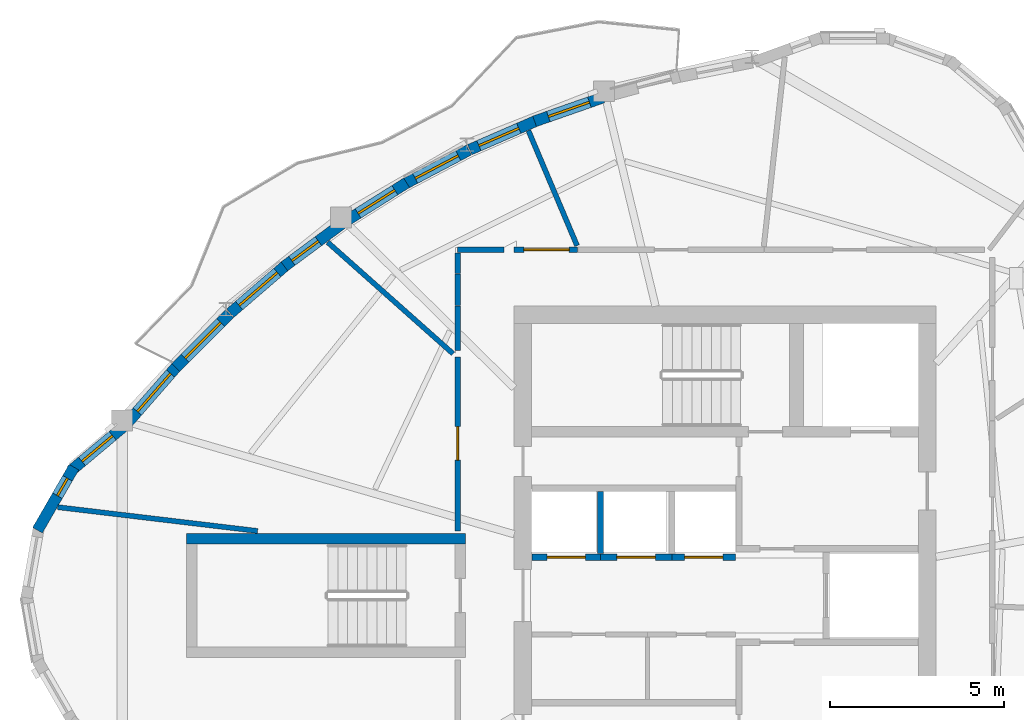
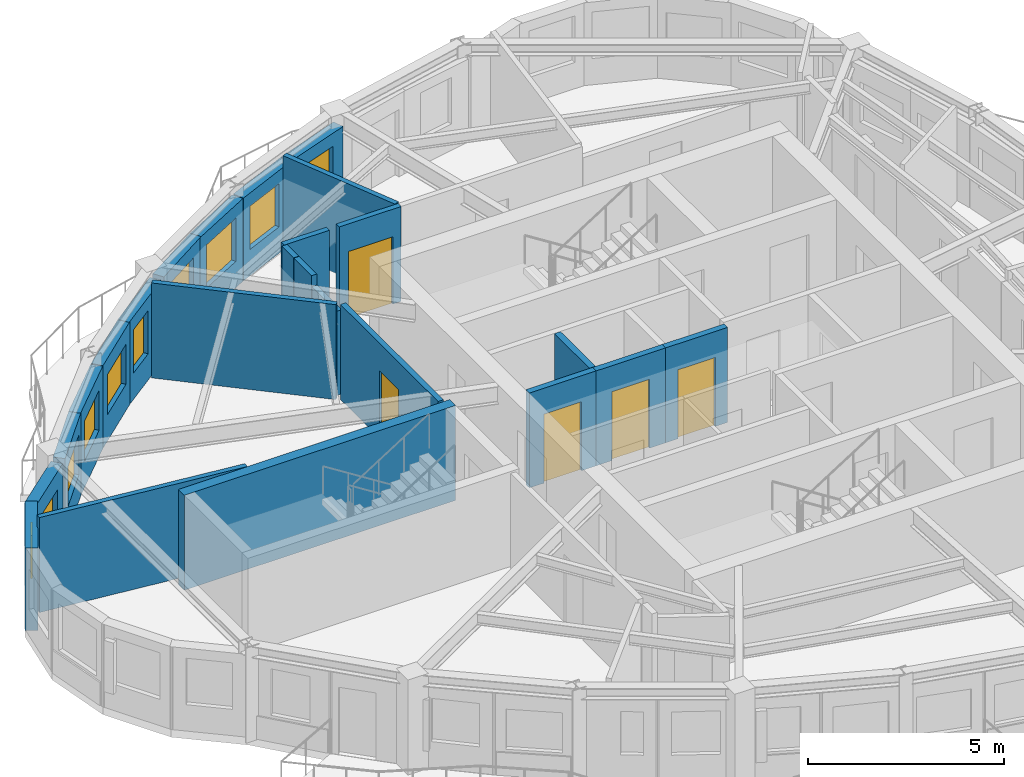
# One storey, part 5 of 11: 24 walls, 10 windows, 5 doors, 15 openings.
"""IFC4 building model written with IfcOpenShell, lengths in metres."""

from ifc_helpers import new_model, si_unit, direction, frame, frame_2d, origin, place, context, subcontext, project, spatial, rectangle, extrude, source, transform, mapped, material, layer, layer_set, type_object, element, fill, save


model = new_model("IFC4")

# Units and contexts
model_context = context("Model", 3, precision=1e-05, world=origin(), true_north=direction((0.0, 1.0)))
body_context = subcontext(model_context, "Body", "Model", "MODEL_VIEW")
ifc_project = project(units=[si_unit("LENGTHUNIT", "METRE"), si_unit("AREAUNIT", "SQUARE_METRE"), si_unit("VOLUMEUNIT", "CUBIC_METRE"), si_unit("PLANEANGLEUNIT", "RADIAN"), si_unit("MASSUNIT", "GRAM", prefix="KILO")], contexts=[model_context])

# Site, building, storey
site_placement = place(None, origin())
site = spatial("IfcSite", under=ifc_project, at=site_placement, CompositionType="ELEMENT")
building_placement = place(site_placement, origin())
building = spatial("IfcBuilding", under=site, at=building_placement, Name="Qafzar Sky-Pleat Residences", CompositionType="ELEMENT")
storey_placement = place(building_placement, frame((0.0, 0.0, 227.60009765625)))
storey = spatial("IfcBuildingStorey", under=building, at=storey_placement, Name="L68", CompositionType="ELEMENT", Elevation=227.60009765625)

# Wall, opening, door
ifc_material_1 = material(Name="Acoustic gypsum plasterboard partition", Category="gypsum")
ifc_layer_1 = layer(ifc_material_1, 0.159912109375)
ifc_layer_set_1 = layer_set([ifc_layer_1], Name="Acoustic gypsum plasterboard partition")
wall_type_1 = type_object("IfcWallType", Name="PART-COR-160", PredefinedType="PARTITIONING", material=ifc_layer_set_1)
wall_1_placement = place(storey_placement, frame((22.679931640625, 27.85009765625, 0.0), z_axis=(0.0, 0.0, 1.0), x_axis=(0.0, 1.0, 0.0)))
wall_1 = element("IfcWall", 1, at=wall_1_placement, inside=storey, type_object=wall_type_1, Name="L68 Partition Wall PART-L68-PW-004", PredefinedType="PARTITIONING", context=body_context, shape_type="SweptSolid", body=[
    extrude(rectangle(XDim=4.98779296875, YDim=0.159912109375, at=frame_2d((2.493896484375, 0.0))), origin(), (0.0, 0.0, 1.0), 2.9599609375),
])
opening_1_placement = place(wall_1_placement, frame((2.033447265625, 0.0, 0.0)))
opening_1 = element("IfcOpeningElement", 2, at=opening_1_placement, cuts=wall_1, Name="Opening ID-06", PredefinedType="OPENING", context=body_context, shape_type="SweptSolid", body=[
    extrude(rectangle(XDim=0.9599609375, YDim=2.10009765625, at=frame_2d((0.47998046875, 1.050048828125))), frame((0.0, 0.08984375, 0.0), z_axis=(0.0, -1.0, 0.0), x_axis=(1.0, 0.0, 0.0)), (0.0, 0.0, 1.0), 0.179931640625),
])
ifc_material_2 = material(Name="Timber-faced fire door", Category="wood")
door_type_1 = type_object("IfcDoorType", Name="DR-STD-960", OperationType="NOTDEFINED", PredefinedType="DOOR", material=ifc_material_2)
shared_shape_1 = source(origin(), body_context, "Body", "SweptSolid", [
    extrude(rectangle(XDim=0.9599609375, YDim=2.10009765625, at=frame_2d((0.47998046875, 1.050048828125))), frame((0.0, 0.02490234375, 0.0), z_axis=(0.0, -1.0, 0.0), x_axis=(1.0, 0.0, 0.0)), (0.0, 0.0, 1.0), 0.050048828125),
])
door_1_placement = place(opening_1_placement, origin())
door_1 = element("IfcDoor", 3, at=door_1_placement, inside=storey, type_object=door_type_1, Name="L68 Reading Library Door", OperationType="SINGLE_SWING_LEFT", OverallHeight=2.10009765625, OverallWidth=0.9599609375, PredefinedType="DOOR", context=body_context, shape_type="MappedRepresentation", body=[
    mapped(shared_shape_1, transform((0.0, 0.0, 0.0), x_axis=(1.0, 0.0, 0.0), y_axis=(0.0, 1.0, 0.0), z_axis=(0.0, 0.0, 1.0), scale=1.0)),
])
fill(opening_1, door_1)

wall_2_placement = place(storey_placement, frame((24.300048828125, 35.919921875, 0.0), z_axis=(0.0, 0.0, 1.0), x_axis=(1.0, 0.0, 0.0)))
wall_2 = element("IfcWall", 4, at=wall_2_placement, inside=storey, type_object=wall_type_1, Name="L68 Partition Wall PART-L68-PW-009", PredefinedType="PARTITIONING", context=body_context, shape_type="SweptSolid", body=[
    extrude(rectangle(XDim=1.822998046875, YDim=0.159912109375, at=frame_2d((0.91162109375, 0.0))), origin(), (0.0, 0.0, 1.0), 2.9599609375),
])
opening_2_placement = place(wall_2_placement, frame((0.277099609375, 0.0, 0.0)))
opening_2 = element("IfcOpeningElement", 5, at=opening_2_placement, cuts=wall_2, Name="Opening ID-05", PredefinedType="OPENING", context=body_context, shape_type="SweptSolid", body=[
    extrude(rectangle(XDim=1.300048828125, YDim=2.10009765625, at=frame_2d((0.64990234375, 1.050048828125))), frame((0.0, 0.08984375, 0.0), z_axis=(0.0, -1.0, 0.0), x_axis=(1.0, 0.0, 0.0)), (0.0, 0.0, 1.0), 0.179931640625),
])
door_type_2 = type_object("IfcDoorType", Name="DR-LNG-1300", OperationType="DOUBLE_DOOR_SINGLE_SWING", PredefinedType="DOOR", material=ifc_material_2)
shared_shape_2 = source(origin(), body_context, "Body", "SweptSolid", [
    extrude(rectangle(XDim=1.300048828125, YDim=2.10009765625, at=frame_2d((0.64990234375, 1.050048828125))), frame((0.0, 0.02490234375, 0.0), z_axis=(0.0, -1.0, 0.0), x_axis=(1.0, 0.0, 0.0)), (0.0, 0.0, 1.0), 0.050048828125),
])
door_2_placement = place(opening_2_placement, origin())
door_2 = element("IfcDoor", 6, at=door_2_placement, inside=storey, type_object=door_type_2, Name="L68 Co-Living Lounge Door", OperationType="DOUBLE_DOOR_SINGLE_SWING", OverallHeight=2.10009765625, OverallWidth=1.300048828125, PredefinedType="DOOR", context=body_context, shape_type="MappedRepresentation", body=[
    mapped(shared_shape_2, transform((0.0, 0.0, 0.0), x_axis=(1.0, 0.0, 0.0), y_axis=(0.0, 1.0, 0.0), z_axis=(0.0, 0.0, 1.0), scale=1.0)),
])
fill(opening_2, door_2)

# Walls
wall_3_placement = place(storey_placement, frame((22.679931640625, 33.029052734375, 0.0), z_axis=(0.0, 0.0, 1.0), x_axis=(0.0, 1.0, 0.0)))
element("IfcWall", 7, at=wall_3_placement, inside=storey, type_object=wall_type_1, Name="L68 Partition Wall PART-L68-PW-024", PredefinedType="PARTITIONING", context=body_context, shape_type="SweptSolid", body=[
    extrude(rectangle(XDim=1.27099609375, YDim=0.159912109375, at=frame_2d((0.635498046875, 0.0))), origin(), (0.0, 0.0, 1.0), 2.6279296875),
])
wall_4_placement = place(storey_placement, frame((22.679931640625, 35.919921875, 0.0), z_axis=(0.0, 0.0, 1.0), x_axis=(1.0, 0.0, 0.0)))
element("IfcWall", 8, at=wall_4_placement, inside=storey, type_object=wall_type_1, Name="L68 Partition Wall PART-L68-PW-025", PredefinedType="PARTITIONING", context=body_context, shape_type="SweptSolid", body=[
    extrude(rectangle(XDim=1.33203125, YDim=0.159912109375, at=frame_2d((0.666015625, 0.0))), origin(), (0.0, 0.0, 1.0), 2.9599609375),
])
wall_5_placement = place(storey_placement, frame((22.679931640625, 34.31494140625, 0.0), z_axis=(0.0, 0.0, 1.0), x_axis=(0.0, 1.0, 0.0)))
element("IfcWall", 9, at=wall_5_placement, inside=storey, type_object=wall_type_1, Name="L68 Partition Wall PART-L68-PW-027", PredefinedType="PARTITIONING", context=body_context, shape_type="SweptSolid", body=[
    extrude(rectangle(XDim=0.902099609375, YDim=0.159912109375, at=frame_2d((0.451171875, 0.0))), origin(), (0.0, 0.0, 1.0), 2.9599609375),
])
wall_6_placement = place(storey_placement, frame((22.679931640625, 35.23193359375, 0.0), z_axis=(0.0, 0.0, 1.0), x_axis=(0.0, 1.0, 0.0)))
element("IfcWall", 10, at=wall_6_placement, inside=storey, type_object=wall_type_1, Name="L68 Partition Wall PART-L68-PW-029", PredefinedType="PARTITIONING", context=body_context, shape_type="SweptSolid", body=[
    extrude(rectangle(XDim=0.60009765625, YDim=0.159912109375, at=frame_2d((0.300048828125, 0.0))), origin(), (0.0, 0.0, 1.0), 2.9599609375),
])

# Wall, opening, door
ifc_material_3 = material(Name="Concrete blockwork partition", Category="masonry")
ifc_layer_2 = layer(ifc_material_3, 0.179931640625)
ifc_layer_set_2 = layer_set([ifc_layer_2], Name="Concrete blockwork partition")
wall_type_2 = type_object("IfcWallType", Name="PART-SHAFT-180", PredefinedType="PARTITIONING", material=ifc_layer_set_2)
wall_7_placement = place(storey_placement, frame((24.81005859375, 27.10009765625, 0.0), z_axis=(0.0, 0.0, 1.0), x_axis=(1.0, 0.0, 0.0)))
wall_7 = element("IfcWall", 11, at=wall_7_placement, inside=storey, type_object=wall_type_2, Name="L68 Partition Wall PART-L68-P4-S", PredefinedType="PARTITIONING", context=body_context, shape_type="SweptSolid", body=[
    extrude(rectangle(XDim=1.96484375, YDim=0.179931640625, at=frame_2d((0.982421875, 0.0))), origin(), (0.0, 0.0, 1.0), 2.9599609375),
])
opening_3_placement = place(wall_7_placement, frame((0.4326171875, 0.0, 0.0)))
opening_3 = element("IfcOpeningElement", 12, at=opening_3_placement, cuts=wall_7, Name="Opening LD-01", PredefinedType="OPENING", context=body_context, shape_type="SweptSolid", body=[
    extrude(rectangle(XDim=1.10009765625, YDim=2.14990234375, at=frame_2d((0.550048828125, 1.074951171875))), frame((0.0, 0.10009765625, 0.0), z_axis=(0.0, -1.0, 0.0), x_axis=(1.0, 0.0, 0.0)), (0.0, 0.0, 1.0), 0.199951171875),
])
ifc_material_4 = material(Name="Stainless steel sliding landing door", Category="steel")
door_type_3 = type_object("IfcDoorType", Name="DR-LIFT-P", OperationType="DOUBLE_DOOR_SLIDING", PredefinedType="DOOR", material=ifc_material_4)
shared_shape_3 = source(origin(), body_context, "Body", "SweptSolid", [
    extrude(rectangle(XDim=1.10009765625, YDim=2.14990234375, at=frame_2d((0.550048828125, 1.074951171875))), frame((0.0, 0.02490234375, 0.0), z_axis=(0.0, -1.0, 0.0), x_axis=(1.0, 0.0, 0.0)), (0.0, 0.0, 1.0), 0.050048828125),
])
door_3_placement = place(opening_3_placement, origin())
door_3 = element("IfcDoor", 13, at=door_3_placement, inside=storey, type_object=door_type_3, Name="L68 Passenger Lift P4 Landing Door", OperationType="DOUBLE_DOOR_SLIDING", OverallHeight=2.14990234375, OverallWidth=1.10009765625, PredefinedType="DOOR", context=body_context, shape_type="MappedRepresentation", body=[
    mapped(shared_shape_3, transform((0.0, 0.0, 0.0), x_axis=(1.0, 0.0, 0.0), y_axis=(0.0, 1.0, 0.0), z_axis=(0.0, 0.0, 1.0), scale=1.0)),
])
fill(opening_3, door_3)

wall_8_placement = place(storey_placement, frame((26.77490234375, 27.10009765625, 0.0), z_axis=(0.0, 0.0, 1.0), x_axis=(1.0, 0.0, 0.0)))
wall_8 = element("IfcWall", 14, at=wall_8_placement, inside=storey, type_object=wall_type_2, Name="L68 Partition Wall PART-L68-P5-S", PredefinedType="PARTITIONING", context=body_context, shape_type="SweptSolid", body=[
    extrude(rectangle(XDim=2.050048828125, YDim=0.179931640625, at=frame_2d((1.02490234375, 0.0))), origin(), (0.0, 0.0, 1.0), 2.9599609375),
])
opening_4_placement = place(wall_8_placement, frame((0.47509765625, 0.0, 0.0)))
opening_4 = element("IfcOpeningElement", 15, at=opening_4_placement, cuts=wall_8, Name="Opening LD-01", PredefinedType="OPENING", context=body_context, shape_type="SweptSolid", body=[
    extrude(rectangle(XDim=1.10009765625, YDim=2.14990234375, at=frame_2d((0.550048828125, 1.074951171875))), frame((0.0, 0.10009765625, 0.0), z_axis=(0.0, -1.0, 0.0), x_axis=(1.0, 0.0, 0.0)), (0.0, 0.0, 1.0), 0.199951171875),
])
door_4_placement = place(opening_4_placement, origin())
door_4 = element("IfcDoor", 16, at=door_4_placement, inside=storey, type_object=door_type_3, Name="L68 Passenger Lift P5 Landing Door", OperationType="DOUBLE_DOOR_SLIDING", OverallHeight=2.14990234375, OverallWidth=1.10009765625, PredefinedType="DOOR", context=body_context, shape_type="MappedRepresentation", body=[
    mapped(shared_shape_3, transform((0.0, 0.0, 0.0), x_axis=(1.0, 0.0, 0.0), y_axis=(0.0, 1.0, 0.0), z_axis=(0.0, 0.0, 1.0), scale=1.0)),
])
fill(opening_4, door_4)

# Wall
wall_9_placement = place(storey_placement, frame((26.77490234375, 27.199951171875, 0.0), z_axis=(0.0, 0.0, 1.0), x_axis=(0.0, 1.0, 0.0)))
element("IfcWall", 17, at=wall_9_placement, inside=storey, type_object=wall_type_2, Name="L68 Partition Wall PART-L68-P46-DIV-1", PredefinedType="PARTITIONING", context=body_context, shape_type="SweptSolid", body=[
    extrude(rectangle(XDim=1.780029296875, YDim=0.179931640625, at=frame_2d((0.89013671875, 0.0))), origin(), (0.0, 0.0, 1.0), 2.9599609375),
])

# Wall, opening, door
wall_10_placement = place(storey_placement, frame((28.824951171875, 27.10009765625, 0.0), z_axis=(0.0, 0.0, 1.0), x_axis=(1.0, 0.0, 0.0)))
wall_10 = element("IfcWall", 18, at=wall_10_placement, inside=storey, type_object=wall_type_2, Name="L68 Partition Wall PART-L68-P6-S", PredefinedType="PARTITIONING", context=body_context, shape_type="SweptSolid", body=[
    extrude(rectangle(XDim=1.824951171875, YDim=0.179931640625, at=frame_2d((0.91259765625, 0.0))), origin(), (0.0, 0.0, 1.0), 2.9599609375),
])
opening_5_placement = place(wall_10_placement, frame((0.362548828125, 0.0, 0.0)))
opening_5 = element("IfcOpeningElement", 19, at=opening_5_placement, cuts=wall_10, Name="Opening LD-01", PredefinedType="OPENING", context=body_context, shape_type="SweptSolid", body=[
    extrude(rectangle(XDim=1.10009765625, YDim=2.14990234375, at=frame_2d((0.550048828125, 1.074951171875))), frame((0.0, 0.10009765625, 0.0), z_axis=(0.0, -1.0, 0.0), x_axis=(1.0, 0.0, 0.0)), (0.0, 0.0, 1.0), 0.199951171875),
])
door_5_placement = place(opening_5_placement, origin())
door_5 = element("IfcDoor", 20, at=door_5_placement, inside=storey, type_object=door_type_3, Name="L68 Passenger Lift P6 Landing Door", OperationType="DOUBLE_DOOR_SLIDING", OverallHeight=2.14990234375, OverallWidth=1.10009765625, PredefinedType="DOOR", context=body_context, shape_type="MappedRepresentation", body=[
    mapped(shared_shape_3, transform((0.0, 0.0, 0.0), x_axis=(1.0, 0.0, 0.0), y_axis=(0.0, 1.0, 0.0), z_axis=(0.0, 0.0, 1.0), scale=1.0)),
])
fill(opening_5, door_5)

# Walls
ifc_layer_3 = layer(ifc_material_1, 0.14501953125)
ifc_layer_set_3 = layer_set([ifc_layer_3], Name="Acoustic gypsum plasterboard partition")
wall_type_3 = type_object("IfcWallType", Name="PART-UNIT-145", PredefinedType="PARTITIONING", material=ifc_layer_set_3)
wall_11_placement = place(storey_placement, frame((11.204833984375, 28.533935546875, 0.0), z_axis=(0.0, 0.0, 1.0), x_axis=(0.9929685345, -0.118378585449, 0.0)))
element("IfcWall", 21, at=wall_11_placement, inside=storey, type_object=wall_type_3, Name="L68 Partition Wall PART-L68-PW-011", PredefinedType="PARTITIONING", context=body_context, shape_type="SweptSolid", body=[
    extrude(rectangle(XDim=5.776611328125, YDim=0.14501953125, at=frame_2d((2.88818359375, 0.0))), origin(), (0.0, 0.0, 1.0), 2.9599609375),
])
wall_12_placement = place(storey_placement, frame((18.94873046875, 36.134033203125, 0.0), z_axis=(0.0, 0.0, 1.0), x_axis=(0.747482088067, -0.664281964243, 0.0)))
element("IfcWall", 22, at=wall_12_placement, inside=storey, type_object=wall_type_3, Name="L68 Partition Wall PART-L68-PW-014", PredefinedType="PARTITIONING", context=body_context, shape_type="SweptSolid", body=[
    extrude(rectangle(XDim=4.8125, YDim=0.14501953125, at=frame_2d((2.40625, 0.0))), origin(), (0.0, 0.0, 1.0), 2.9599609375),
])
wall_13_placement = place(storey_placement, frame((24.708251953125, 39.337890625, 0.0), z_axis=(0.0, 0.0, 1.0), x_axis=(0.389551136954, -0.921004838043, 0.0)))
element("IfcWall", 23, at=wall_13_placement, inside=storey, type_object=wall_type_3, Name="L68 Partition Wall PART-L68-PW-015", PredefinedType="PARTITIONING", context=body_context, shape_type="SweptSolid", body=[
    extrude(rectangle(XDim=3.58544921875, YDim=0.14501953125, at=frame_2d((1.792724609375, 0.0))), origin(), (0.0, 0.0, 1.0), 2.9599609375),
])

# Wall, opening, window
ifc_material_5 = material(Name="Precast concrete C40/50 with honed Riyadh limestone", Category="concrete")
ifc_layer_4 = layer(ifc_material_5, 0.320068359375)
ifc_layer_set_4 = layer_set([ifc_layer_4], Name="Precast concrete C40/50 with honed Riyadh limestone")
wall_type_4 = type_object("IfcWallType", Name="WALL-EXT-320", PredefinedType="SOLIDWALL", material=ifc_layer_set_4)
wall_14_placement = place(storey_placement, frame((13.0888671875, 30.842529296875, 0.0), z_axis=(0.0, 0.0, 1.0), x_axis=(-0.76606505432, -0.642763045414, 0.0)))
wall_14 = element("IfcWall", 24, at=wall_14_placement, inside=storey, type_object=wall_type_4, Name="L68 Limestone Facade Wall 1", PredefinedType="SOLIDWALL", context=body_context, shape_type="SweptSolid", body=[
    extrude(rectangle(XDim=1.962158203125, YDim=0.320068359375, at=frame_2d((0.98095703125, 0.0))), origin(), (0.0, 0.0, 1.0), 2.579833984375),
])
opening_6_placement = place(wall_14_placement, frame((0.401123046875, 0.0, 0.820068359375)))
opening_6 = element("IfcOpeningElement", 25, at=opening_6_placement, cuts=wall_14, Name="Opening WN-16", PredefinedType="OPENING", context=body_context, shape_type="SweptSolid", body=[
    extrude(rectangle(XDim=1.14990234375, YDim=1.199951171875, at=frame_2d((0.574951171875, 0.60009765625))), frame((0.0, 0.169921875, 0.0), z_axis=(0.0, -1.0, 0.0), x_axis=(1.0, 0.0, 0.0)), (0.0, 0.0, 1.0), 0.340087890625),
])
ifc_material_6 = material(Name="Solar-control low-E glass in bronze aluminium frame", Category="glass")
window_type_1 = type_object("IfcWindowType", Name="WIN-16", PartitioningType="SINGLE_PANEL", PredefinedType="WINDOW", material=ifc_material_6)
shared_shape_4 = source(origin(), body_context, "Body", "SweptSolid", [
    extrude(rectangle(XDim=1.14990234375, YDim=1.199951171875, at=frame_2d((0.574951171875, 0.60009765625))), frame((0.0, 0.030029296875, 0.0), z_axis=(0.0, -1.0, 0.0), x_axis=(1.0, 0.0, 0.0)), (0.0, 0.0, 1.0), 0.06005859375),
])
window_1_placement = place(opening_6_placement, origin())
window_1 = element("IfcWindow", 26, at=window_1_placement, inside=storey, type_object=window_type_1, Name="L68 Punched Facade Window 01", OverallHeight=1.199951171875, OverallWidth=1.14990234375, PartitioningType="SINGLE_PANEL", PredefinedType="WINDOW", context=body_context, shape_type="MappedRepresentation", body=[
    mapped(shared_shape_4, transform((0.0, 0.0, 0.0), x_axis=(1.0, 0.0, 0.0), y_axis=(0.0, 1.0, 0.0), z_axis=(0.0, 0.0, 1.0), scale=1.0)),
])
fill(opening_6, window_1)

wall_15_placement = place(storey_placement, frame((11.66943359375, 29.68115234375, 0.0), z_axis=(0.0, 0.0, 1.0), x_axis=(-0.49990781971, -0.866078617559, 0.0)))
wall_15 = element("IfcWall", 27, at=wall_15_placement, inside=storey, type_object=wall_type_4, Name="L68 Limestone Facade Wall 2", PredefinedType="SOLIDWALL", context=body_context, shape_type="SweptSolid", body=[
    extrude(rectangle(XDim=2.09033203125, YDim=0.320068359375, at=frame_2d((1.045166015625, 0.0))), origin(), (0.0, 0.0, 1.0), 2.579833984375),
])
opening_7_placement = place(wall_15_placement, frame((0.3671875, 0.0, 0.820068359375)))
opening_7 = element("IfcOpeningElement", 28, at=opening_7_placement, cuts=wall_15, Name="Opening WN-17", PredefinedType="OPENING", context=body_context, shape_type="SweptSolid", body=[
    extrude(rectangle(XDim=0.580078125, YDim=1.35009765625, at=frame_2d((0.2900390625, 0.675048828125))), frame((0.0, 0.169921875, 0.0), z_axis=(0.0, -1.0, 0.0), x_axis=(1.0, 0.0, 0.0)), (0.0, 0.0, 1.0), 0.340087890625),
])
window_type_2 = type_object("IfcWindowType", Name="WIN-17", PartitioningType="SINGLE_PANEL", PredefinedType="WINDOW", material=ifc_material_6)
shared_shape_5 = source(origin(), body_context, "Body", "SweptSolid", [
    extrude(rectangle(XDim=0.580078125, YDim=1.35009765625, at=frame_2d((0.2900390625, 0.675048828125))), frame((0.0, 0.030029296875, 0.0), z_axis=(0.0, -1.0, 0.0), x_axis=(1.0, 0.0, 0.0)), (0.0, 0.0, 1.0), 0.06005859375),
])
window_2_placement = place(opening_7_placement, origin())
window_2 = element("IfcWindow", 29, at=window_2_placement, inside=storey, type_object=window_type_2, Name="L68 Punched Facade Window 02", OverallHeight=1.35009765625, OverallWidth=0.580078125, PartitioningType="SINGLE_PANEL", PredefinedType="WINDOW", context=body_context, shape_type="MappedRepresentation", body=[
    mapped(shared_shape_5, transform((0.0, 0.0, 0.0), x_axis=(1.0, 0.0, 0.0), y_axis=(0.0, 1.0, 0.0), z_axis=(0.0, 0.0, 1.0), scale=1.0)),
])
fill(opening_7, window_2)

wall_16_placement = place(storey_placement, frame((26.842529296875, 40.285888671875, 0.0), z_axis=(0.0, 0.0, 1.0), x_axis=(-0.944109796758, -0.329631144867, 0.0)))
wall_16 = element("IfcWall", 30, at=wall_16_placement, inside=storey, type_object=wall_type_4, Name="L68 Limestone Facade Wall 41", PredefinedType="SOLIDWALL", context=body_context, shape_type="SweptSolid", body=[
    extrude(rectangle(XDim=2.071533203125, YDim=0.320068359375, at=frame_2d((1.03564453125, 0.0))), origin(), (0.0, 0.0, 1.0), 2.579833984375),
])
opening_8_placement = place(wall_16_placement, frame((0.40576171875, 0.0, 0.820068359375)))
opening_8 = element("IfcOpeningElement", 31, at=opening_8_placement, cuts=wall_16, Name="Opening WN-11", PredefinedType="OPENING", context=body_context, shape_type="SweptSolid", body=[
    extrude(rectangle(XDim=1.25, YDim=1.35009765625, at=frame_2d((0.625, 0.675048828125))), frame((0.0, 0.169921875, 0.0), z_axis=(0.0, -1.0, 0.0), x_axis=(1.0, 0.0, 0.0)), (0.0, 0.0, 1.0), 0.340087890625),
])
window_type_3 = type_object("IfcWindowType", Name="WIN-11", PartitioningType="SINGLE_PANEL", PredefinedType="WINDOW", material=ifc_material_6)
shared_shape_6 = source(origin(), body_context, "Body", "SweptSolid", [
    extrude(rectangle(XDim=1.25, YDim=1.35009765625, at=frame_2d((0.625, 0.675048828125))), frame((0.0, 0.030029296875, 0.0), z_axis=(0.0, -1.0, 0.0), x_axis=(1.0, 0.0, 0.0)), (0.0, 0.0, 1.0), 0.06005859375),
])
window_3_placement = place(opening_8_placement, origin())
window_3 = element("IfcWindow", 32, at=window_3_placement, inside=storey, type_object=window_type_3, Name="L68 Punched Facade Window 41", OverallHeight=1.35009765625, OverallWidth=1.25, PartitioningType="SINGLE_PANEL", PredefinedType="WINDOW", context=body_context, shape_type="MappedRepresentation", body=[
    mapped(shared_shape_6, transform((0.0, 0.0, 0.0), x_axis=(1.0, 0.0, 0.0), y_axis=(0.0, 1.0, 0.0), z_axis=(0.0, 0.0, 1.0), scale=1.0)),
])
fill(opening_8, window_3)

wall_17_placement = place(storey_placement, frame((24.968505859375, 39.635009765625, 0.0), z_axis=(0.0, 0.0, 1.0), x_axis=(-0.917099379281, -0.398658661666, 0.0)))
wall_17 = element("IfcWall", 33, at=wall_17_placement, inside=storey, type_object=wall_type_4, Name="L68 Limestone Facade Wall 42", PredefinedType="SOLIDWALL", context=body_context, shape_type="SweptSolid", body=[
    extrude(rectangle(XDim=2.11767578125, YDim=0.320068359375, at=frame_2d((1.058837890625, 0.0))), origin(), (0.0, 0.0, 1.0), 2.579833984375),
])
opening_9_placement = place(wall_17_placement, frame((0.582275390625, 0.0, 0.820068359375)))
opening_9 = element("IfcOpeningElement", 34, at=opening_9_placement, cuts=wall_17, Name="Opening WN-11", PredefinedType="OPENING", context=body_context, shape_type="SweptSolid", body=[
    extrude(rectangle(XDim=1.25, YDim=1.35009765625, at=frame_2d((0.625, 0.675048828125))), frame((0.0, 0.169921875, 0.0), z_axis=(0.0, -1.0, 0.0), x_axis=(1.0, 0.0, 0.0)), (0.0, 0.0, 1.0), 0.340087890625),
])
window_4_placement = place(opening_9_placement, origin())
window_4 = element("IfcWindow", 35, at=window_4_placement, inside=storey, type_object=window_type_3, Name="L68 Punched Facade Window 42", OverallHeight=1.35009765625, OverallWidth=1.25, PartitioningType="SINGLE_PANEL", PredefinedType="WINDOW", context=body_context, shape_type="MappedRepresentation", body=[
    mapped(shared_shape_6, transform((0.0, 0.0, 0.0), x_axis=(1.0, 0.0, 0.0), y_axis=(0.0, 1.0, 0.0), z_axis=(0.0, 0.0, 1.0), scale=1.0)),
])
fill(opening_9, window_4)

wall_18_placement = place(storey_placement, frame((23.001220703125, 38.77880859375, 0.0), z_axis=(0.0, 0.0, 1.0), x_axis=(-0.884379435148, -0.466768695059, 0.0)))
wall_18 = element("IfcWall", 36, at=wall_18_placement, inside=storey, type_object=wall_type_4, Name="L68 Limestone Facade Wall 43", PredefinedType="SOLIDWALL", context=body_context, shape_type="SweptSolid", body=[
    extrude(rectangle(XDim=2.105712890625, YDim=0.320068359375, at=frame_2d((1.052734375, 0.0))), origin(), (0.0, 0.0, 1.0), 2.579833984375),
])
opening_10_placement = place(wall_18_placement, frame((0.343017578125, 0.0, 0.820068359375)))
opening_10 = element("IfcOpeningElement", 37, at=opening_10_placement, cuts=wall_18, Name="Opening WN-10", PredefinedType="OPENING", context=body_context, shape_type="SweptSolid", body=[
    extrude(rectangle(XDim=1.39990234375, YDim=1.35009765625, at=frame_2d((0.699951171875, 0.675048828125))), frame((0.0, 0.169921875, 0.0), z_axis=(0.0, -1.0, 0.0), x_axis=(1.0, 0.0, 0.0)), (0.0, 0.0, 1.0), 0.340087890625),
])
window_type_4 = type_object("IfcWindowType", Name="WIN-10", PartitioningType="SINGLE_PANEL", PredefinedType="WINDOW", material=ifc_material_6)
shared_shape_7 = source(origin(), body_context, "Body", "SweptSolid", [
    extrude(rectangle(XDim=1.39990234375, YDim=1.35009765625, at=frame_2d((0.699951171875, 0.675048828125))), frame((0.0, 0.030029296875, 0.0), z_axis=(0.0, -1.0, 0.0), x_axis=(1.0, 0.0, 0.0)), (0.0, 0.0, 1.0), 0.06005859375),
])
window_5_placement = place(opening_10_placement, origin())
window_5 = element("IfcWindow", 38, at=window_5_placement, inside=storey, type_object=window_type_4, Name="L68 Punched Facade Window 43", OverallHeight=1.35009765625, OverallWidth=1.39990234375, PartitioningType="SINGLE_PANEL", PredefinedType="WINDOW", context=body_context, shape_type="MappedRepresentation", body=[
    mapped(shared_shape_7, transform((0.0, 0.0, 0.0), x_axis=(1.0, 0.0, 0.0), y_axis=(0.0, 1.0, 0.0), z_axis=(0.0, 0.0, 1.0), scale=1.0)),
])
fill(opening_10, window_5)

wall_19_placement = place(storey_placement, frame((21.215087890625, 37.83984375, 0.0), z_axis=(0.0, 0.0, 1.0), x_axis=(-0.846356989859, -0.532616039672, 0.0)))
wall_19 = element("IfcWall", 39, at=wall_19_placement, inside=storey, type_object=wall_type_4, Name="L68 Limestone Facade Wall 44", PredefinedType="SOLIDWALL", context=body_context, shape_type="SweptSolid", body=[
    extrude(rectangle(XDim=2.03564453125, YDim=0.320068359375, at=frame_2d((1.017822265625, 0.0))), origin(), (0.0, 0.0, 1.0), 2.579833984375),
])
opening_11_placement = place(wall_19_placement, frame((0.39794921875, 0.0, 0.820068359375)))
opening_11 = element("IfcOpeningElement", 40, at=opening_11_placement, cuts=wall_19, Name="Opening WN-11", PredefinedType="OPENING", context=body_context, shape_type="SweptSolid", body=[
    extrude(rectangle(XDim=1.25, YDim=1.35009765625, at=frame_2d((0.625, 0.675048828125))), frame((0.0, 0.169921875, 0.0), z_axis=(0.0, -1.0, 0.0), x_axis=(1.0, 0.0, 0.0)), (0.0, 0.0, 1.0), 0.340087890625),
])
window_6_placement = place(opening_11_placement, origin())
window_6 = element("IfcWindow", 41, at=window_6_placement, inside=storey, type_object=window_type_3, Name="L68 Punched Facade Window 44", OverallHeight=1.35009765625, OverallWidth=1.25, PartitioningType="SINGLE_PANEL", PredefinedType="WINDOW", context=body_context, shape_type="MappedRepresentation", body=[
    mapped(shared_shape_6, transform((0.0, 0.0, 0.0), x_axis=(1.0, 0.0, 0.0), y_axis=(0.0, 1.0, 0.0), z_axis=(0.0, 0.0, 1.0), scale=1.0)),
])
fill(opening_11, window_6)

wall_20_placement = place(storey_placement, frame((19.353515625, 36.660888671875, 0.0), z_axis=(0.0, 0.0, 1.0), x_axis=(-0.803846460046, -0.59483684206, 0.0)))
wall_20 = element("IfcWall", 42, at=wall_20_placement, inside=storey, type_object=wall_type_4, Name="L68 Limestone Facade Wall 45", PredefinedType="SOLIDWALL", context=body_context, shape_type="SweptSolid", body=[
    extrude(rectangle(XDim=2.047607421875, YDim=0.320068359375, at=frame_2d((1.02392578125, 0.0))), origin(), (0.0, 0.0, 1.0), 2.579833984375),
])
opening_12_placement = place(wall_20_placement, frame((0.831787109375, 0.0, 0.820068359375)))
opening_12 = element("IfcOpeningElement", 43, at=opening_12_placement, cuts=wall_20, Name="Opening WN-12", PredefinedType="OPENING", context=body_context, shape_type="SweptSolid", body=[
    extrude(rectangle(XDim=0.949951171875, YDim=1.35009765625, at=frame_2d((0.47509765625, 0.675048828125))), frame((0.0, 0.169921875, 0.0), z_axis=(0.0, -1.0, 0.0), x_axis=(1.0, 0.0, 0.0)), (0.0, 0.0, 1.0), 0.340087890625),
])
window_type_5 = type_object("IfcWindowType", Name="WIN-12", PartitioningType="SINGLE_PANEL", PredefinedType="WINDOW", material=ifc_material_6)
shared_shape_8 = source(origin(), body_context, "Body", "SweptSolid", [
    extrude(rectangle(XDim=0.949951171875, YDim=1.35009765625, at=frame_2d((0.47509765625, 0.675048828125))), frame((0.0, 0.030029296875, 0.0), z_axis=(0.0, -1.0, 0.0), x_axis=(1.0, 0.0, 0.0)), (0.0, 0.0, 1.0), 0.06005859375),
])
window_7_placement = place(opening_12_placement, origin())
window_7 = element("IfcWindow", 44, at=window_7_placement, inside=storey, type_object=window_type_5, Name="L68 Punched Facade Window 45-2", OverallHeight=1.35009765625, OverallWidth=0.949951171875, PartitioningType="SINGLE_PANEL", PredefinedType="WINDOW", context=body_context, shape_type="MappedRepresentation", body=[
    mapped(shared_shape_8, transform((0.0, 0.0, 0.0), x_axis=(1.0, 0.0, 0.0), y_axis=(0.0, 1.0, 0.0), z_axis=(0.0, 0.0, 1.0), scale=1.0)),
])
fill(opening_12, window_7)

wall_21_placement = place(storey_placement, frame((17.77587890625, 35.497802734375, 0.0), z_axis=(0.0, 0.0, 1.0), x_axis=(-0.757443010922, -0.652901282894, 0.0)))
wall_21 = element("IfcWall", 45, at=wall_21_placement, inside=storey, type_object=wall_type_4, Name="L68 Limestone Facade Wall 46", PredefinedType="SOLIDWALL", context=body_context, shape_type="SweptSolid", body=[
    extrude(rectangle(XDim=2.1416015625, YDim=0.320068359375, at=frame_2d((1.07080078125, 0.0))), origin(), (0.0, 0.0, 1.0), 2.579833984375),
])
opening_13_placement = place(wall_21_placement, frame((0.355712890625, 0.0, 0.820068359375)))
opening_13 = element("IfcOpeningElement", 46, at=opening_13_placement, cuts=wall_21, Name="Opening WN-15", PredefinedType="OPENING", context=body_context, shape_type="SweptSolid", body=[
    extrude(rectangle(XDim=1.449951171875, YDim=1.25, at=frame_2d((0.72509765625, 0.625))), frame((0.0, 0.169921875, 0.0), z_axis=(0.0, -1.0, 0.0), x_axis=(1.0, 0.0, 0.0)), (0.0, 0.0, 1.0), 0.340087890625),
])
window_type_6 = type_object("IfcWindowType", Name="WIN-15", PartitioningType="SINGLE_PANEL", PredefinedType="WINDOW", material=ifc_material_6)
shared_shape_9 = source(origin(), body_context, "Body", "SweptSolid", [
    extrude(rectangle(XDim=1.449951171875, YDim=1.25, at=frame_2d((0.72509765625, 0.625))), frame((0.0, 0.030029296875, 0.0), z_axis=(0.0, -1.0, 0.0), x_axis=(1.0, 0.0, 0.0)), (0.0, 0.0, 1.0), 0.06005859375),
])
window_8_placement = place(opening_13_placement, origin())
window_8 = element("IfcWindow", 47, at=window_8_placement, inside=storey, type_object=window_type_6, Name="L68 Punched Facade Window 46", OverallHeight=1.25, OverallWidth=1.449951171875, PartitioningType="SINGLE_PANEL", PredefinedType="WINDOW", context=body_context, shape_type="MappedRepresentation", body=[
    mapped(shared_shape_9, transform((0.0, 0.0, 0.0), x_axis=(1.0, 0.0, 0.0), y_axis=(0.0, 1.0, 0.0), z_axis=(0.0, 0.0, 1.0), scale=1.0)),
])
fill(opening_13, window_8)

wall_22_placement = place(storey_placement, frame((16.133056640625, 34.080078125, 0.0), z_axis=(0.0, 0.0, 1.0), x_axis=(-0.708395431826, -0.705815777784, 0.0)))
wall_22 = element("IfcWall", 48, at=wall_22_placement, inside=storey, type_object=wall_type_4, Name="L68 Limestone Facade Wall 47", PredefinedType="SOLIDWALL", context=body_context, shape_type="SweptSolid", body=[
    extrude(rectangle(XDim=2.1767578125, YDim=0.320068359375, at=frame_2d((1.08837890625, 0.0))), origin(), (0.0, 0.0, 1.0), 2.579833984375),
])
opening_14_placement = place(wall_22_placement, frame((0.353515625, 0.0, 0.820068359375)))
opening_14 = element("IfcOpeningElement", 49, at=opening_14_placement, cuts=wall_22, Name="Opening WN-15", PredefinedType="OPENING", context=body_context, shape_type="SweptSolid", body=[
    extrude(rectangle(XDim=1.449951171875, YDim=1.25, at=frame_2d((0.72509765625, 0.625))), frame((0.0, 0.169921875, 0.0), z_axis=(0.0, -1.0, 0.0), x_axis=(1.0, 0.0, 0.0)), (0.0, 0.0, 1.0), 0.340087890625),
])
window_9_placement = place(opening_14_placement, origin())
window_9 = element("IfcWindow", 50, at=window_9_placement, inside=storey, type_object=window_type_6, Name="L68 Punched Facade Window 47", OverallHeight=1.25, OverallWidth=1.449951171875, PartitioningType="SINGLE_PANEL", PredefinedType="WINDOW", context=body_context, shape_type="MappedRepresentation", body=[
    mapped(shared_shape_9, transform((0.0, 0.0, 0.0), x_axis=(1.0, 0.0, 0.0), y_axis=(0.0, 1.0, 0.0), z_axis=(0.0, 0.0, 1.0), scale=1.0)),
])
fill(opening_14, window_9)

wall_23_placement = place(storey_placement, frame((14.650390625, 32.607421875, 0.0), z_axis=(0.0, 0.0, 1.0), x_axis=(-0.657629046069, -0.753341912923, 0.0)))
wall_23 = element("IfcWall", 51, at=wall_23_placement, inside=storey, type_object=wall_type_4, Name="L68 Limestone Facade Wall 48", PredefinedType="SOLIDWALL", context=body_context, shape_type="SweptSolid", body=[
    extrude(rectangle(XDim=2.15283203125, YDim=0.320068359375, at=frame_2d((1.076416015625, 0.0))), origin(), (0.0, 0.0, 1.0), 2.579833984375),
])
opening_15_placement = place(wall_23_placement, frame((0.31640625, 0.0, 0.820068359375)))
opening_15 = element("IfcOpeningElement", 52, at=opening_15_placement, cuts=wall_23, Name="Opening WN-15", PredefinedType="OPENING", context=body_context, shape_type="SweptSolid", body=[
    extrude(rectangle(XDim=1.449951171875, YDim=1.25, at=frame_2d((0.72509765625, 0.625))), frame((0.0, 0.169921875, 0.0), z_axis=(0.0, -1.0, 0.0), x_axis=(1.0, 0.0, 0.0)), (0.0, 0.0, 1.0), 0.340087890625),
])
window_10_placement = place(opening_15_placement, origin())
window_10 = element("IfcWindow", 53, at=window_10_placement, inside=storey, type_object=window_type_6, Name="L68 Punched Facade Window 48", OverallHeight=1.25, OverallWidth=1.449951171875, PartitioningType="SINGLE_PANEL", PredefinedType="WINDOW", context=body_context, shape_type="MappedRepresentation", body=[
    mapped(shared_shape_9, transform((0.0, 0.0, 0.0), x_axis=(1.0, 0.0, 0.0), y_axis=(0.0, 1.0, 0.0), z_axis=(0.0, 0.0, 1.0), scale=1.0)),
])
fill(opening_15, window_10)

# Wall
ifc_material_7 = material(Name="Concrete C60/75", Category="concrete")
ifc_layer_5 = layer(ifc_material_7, 0.300048828125)
ifc_layer_set_5 = layer_set([ifc_layer_5], Name="Concrete C60/75")
wall_type_5 = type_object("IfcWallType", Name="WALL-SHEAR-300", PredefinedType="SHEAR", material=ifc_layer_set_5)
wall_24_placement = place(storey_placement, frame((22.89990234375, 27.625, 0.0), z_axis=(0.0, 0.0, 1.0), x_axis=(-1.0, 0.0, 0.0)))
element("IfcWall", 54, at=wall_24_placement, inside=storey, type_object=wall_type_5, Name="L68 ST3 wall N", PredefinedType="SHEAR", context=body_context, shape_type="SweptSolid", body=[
    extrude(rectangle(XDim=8.0, YDim=0.300048828125, at=frame_2d((4.0, 0.0))), origin(), (0.0, 0.0, 1.0), 2.9599609375),
])

save(model, "model.ifc")
